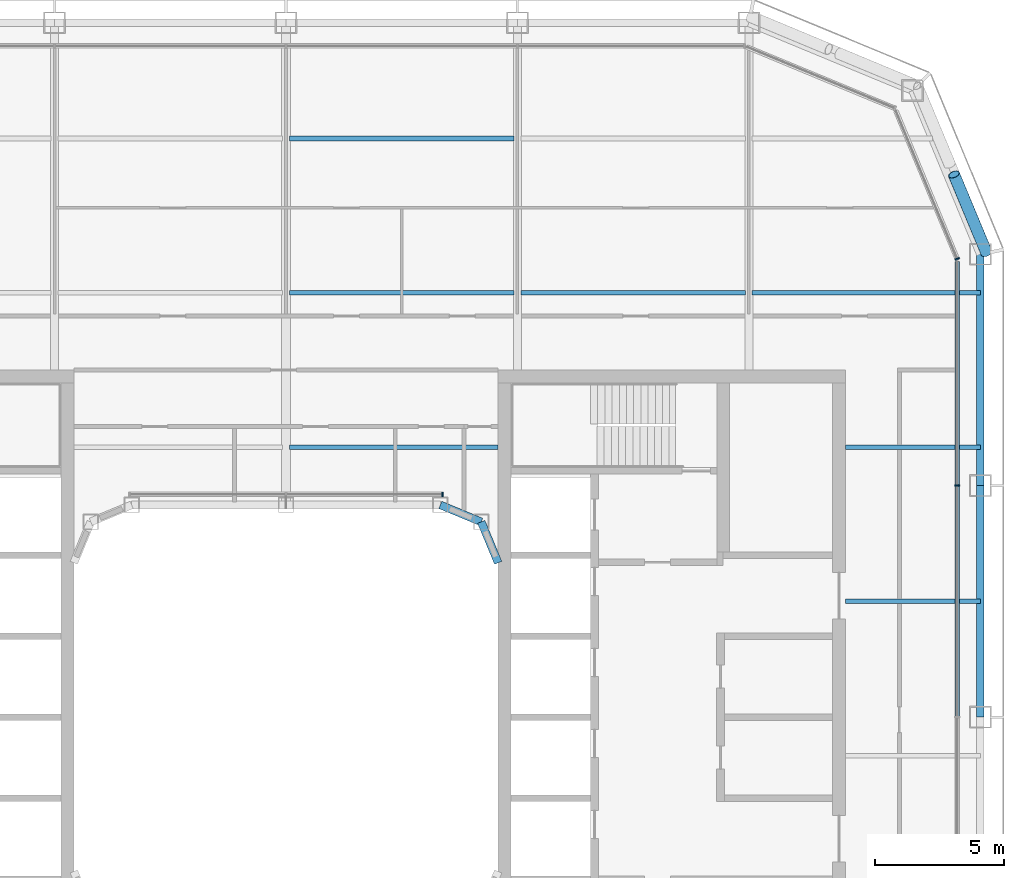
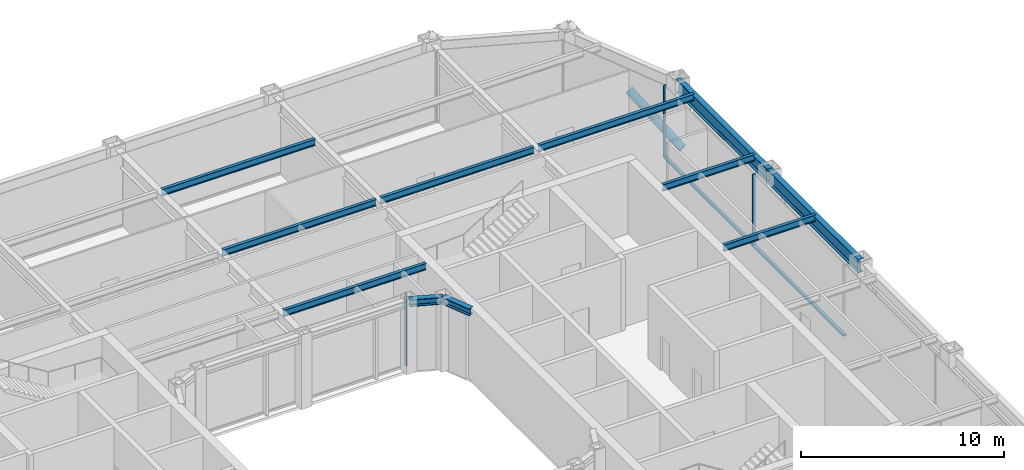
# One storey, part 9 of 19: 11 beams, 6 members, 3 elements without a shape of their own.
"""IFC4 building model written with IfcOpenShell, lengths in metres."""

from ifc_helpers import new_model, si_unit, direction, frame, origin, origin_2d, place, context, subcontext, project, spatial, rectangle, hollow_circle, i_section, extrude, material, layer, layer_set, material_profile, profile_set, type_object, element, aggregate, save


model = new_model("IFC4")

# Units and contexts
model_context = context("Model", 3, precision=1e-05, world=origin(), true_north=direction((0.0, 1.0)))
body_context = subcontext(model_context, "Body", "Model", "MODEL_VIEW")
ifc_project = project(units=[si_unit("LENGTHUNIT", "METRE"), si_unit("AREAUNIT", "SQUARE_METRE"), si_unit("VOLUMEUNIT", "CUBIC_METRE"), si_unit("PLANEANGLEUNIT", "RADIAN"), si_unit("MASSUNIT", "GRAM", prefix="KILO")], contexts=[model_context])

# Site, building, storey
site_placement = place(None, origin())
site = spatial("IfcSite", under=ifc_project, at=site_placement, CompositionType="ELEMENT")
building_placement = place(site_placement, origin())
building = spatial("IfcBuilding", under=site, at=building_placement, Name="Siwar Civic Tower", CompositionType="ELEMENT")
storey_placement = place(building_placement, frame((0.0, 0.0, 192.699951171875)))
storey = spatial("IfcBuildingStorey", under=building, at=storey_placement, Name="L41", CompositionType="ELEMENT", Elevation=192.699951171875)

# Curtain wall, member
ifc_material_1 = material(Name="Aluminium and glass", Category="aluminium")
ifc_layer_1 = layer(ifc_material_1, 0.179931640625)
ifc_layer_set_1 = layer_set([ifc_layer_1], Name="Aluminium and glass")
curtain_wall_type_1 = type_object("IfcCurtainWallType", Name="ENV-CW-C", PredefinedType="NOTDEFINED", material=ifc_layer_set_1)
curtain_wall_1_placement = place(storey_placement, origin())
curtain_wall_1 = element("IfcCurtainWall", 1, at=curtain_wall_1_placement, inside=storey, type_object=curtain_wall_type_1, Name="Curtain wall C E", PredefinedType="NOTDEFINED")
ifc_material_2 = material(Name="Aluminium 6063-T6", Category="aluminium")
ifc_material_profile_1 = material_profile(ifc_material_2, rectangle(XDim=0.179931640625, YDim=0.06005859375, at=origin_2d()), Name="AL 180x60")
ifc_profile_set_1 = profile_set([ifc_material_profile_1], Name="Aluminium 6063-T6")
member_type_1 = type_object("IfcMemberType", Name="ENV-MULLION-C", PredefinedType="MULLION", material=ifc_profile_set_1)
member_1_placement = place(storey_placement, frame((26.10009765625, 9.0, 0.0), z_axis=(0.0, 0.0, 1.0), x_axis=(-1.0, 0.0, 0.0)))
member_1 = element("IfcMember", 2, at=member_1_placement, type_object=member_type_1, Name="Mullion C E 4", PredefinedType="MULLION", context=body_context, shape_type="SweptSolid", body=[
    extrude(rectangle(XDim=0.179931640625, YDim=0.06005859375, at=origin_2d()), origin(), (0.0, 0.0, 1.0), 4.35009765625),
])

ifc_material_3 = material(Name="Aluminium clad insulated panel", Category="aluminium")
ifc_layer_2 = layer(ifc_material_3, 0.179931640625)
ifc_layer_set_2 = layer_set([ifc_layer_2], Name="Aluminium clad insulated panel")
curtain_wall_type_2 = type_object("IfcCurtainWallType", Name="ENV-CW-CX", PredefinedType="NOTDEFINED", material=ifc_layer_set_2)
curtain_wall_2_placement = place(storey_placement, origin())
curtain_wall_2 = element("IfcCurtainWall", 3, at=curtain_wall_2_placement, inside=storey, type_object=curtain_wall_type_2, Name="Curtain wall C NE1", PredefinedType="NOTDEFINED")
member_2_placement = place(storey_placement, frame((26.10009765625, 17.821044921875, 0.0), z_axis=(0.0, 0.0, 1.0), x_axis=(-0.923879532511, -0.382683432365, 0.0)))
member_2 = element("IfcMember", 4, at=member_2_placement, type_object=member_type_1, Name="Mullion C NE1 1", PredefinedType="MULLION", context=body_context, shape_type="SweptSolid", body=[
    extrude(rectangle(XDim=0.179931640625, YDim=0.06005859375, at=origin_2d()), origin(), (0.0, 0.0, 1.0), 4.35009765625),
])
aggregate(curtain_wall_2, [member_2])

ifc_material_4 = material(Name="Aluminium and glass", Category="aluminium")
ifc_layer_3 = layer(ifc_material_4, 0.179931640625)
ifc_layer_set_3 = layer_set([ifc_layer_3], Name="Aluminium and glass")
curtain_wall_type_3 = type_object("IfcCurtainWallType", Name="ENV-CW-W", PredefinedType="NOTDEFINED", material=ifc_layer_set_3)
curtain_wall_3_placement = place(storey_placement, origin())
curtain_wall_3 = element("IfcCurtainWall", 5, at=curtain_wall_3_placement, inside=storey, type_object=curtain_wall_type_3, Name="Curtain wall W WN", PredefinedType="NOTDEFINED")
ifc_material_5 = material(Name="Aluminium 6063-T6", Category="aluminium")
ifc_material_profile_2 = material_profile(ifc_material_5, rectangle(XDim=0.179931640625, YDim=0.06005859375, at=origin_2d()), Name="AL 180x60")
ifc_profile_set_2 = profile_set([ifc_material_profile_2], Name="Aluminium 6063-T6")
member_type_2 = type_object("IfcMemberType", Name="ENV-MULLION-W", PredefinedType="MULLION", material=ifc_profile_set_2)
member_3_placement = place(storey_placement, frame((6.08154296875, 8.659912109375, 0.0), z_axis=(0.0, 0.0, 1.0), x_axis=(0.0, -1.0, 0.0)))
member_3 = element("IfcMember", 6, at=member_3_placement, type_object=member_type_2, Name="Mullion W WN 1", PredefinedType="MULLION", context=body_context, shape_type="SweptSolid", body=[
    extrude(rectangle(XDim=0.179931640625, YDim=0.06005859375, at=origin_2d()), origin(), (0.0, 0.0, 1.0), 4.35009765625),
])
aggregate(curtain_wall_3, [member_3])

# Member
ifc_material_6 = material(Name="Aluminium 6063-T6", Category="aluminium")
ifc_material_profile_3 = material_profile(ifc_material_6, rectangle(XDim=0.179931640625, YDim=0.10009765625, at=origin_2d()), Name="AL 180x100")
ifc_profile_set_3 = profile_set([ifc_material_profile_3], Name="Aluminium 6063-T6")
member_type_3 = type_object("IfcMemberType", Name="ENV-TRANSOM-C", PredefinedType="USERDEFINED", material=ifc_profile_set_3)
member_4_placement = place(storey_placement, frame((26.10009765625, 0.030029296875, 0.050048828125), z_axis=(0.0, 1.0, 0.0), x_axis=(-1.0, 0.0, 0.0)))
member_4 = element("IfcMember", 7, at=member_4_placement, type_object=member_type_3, Name="Transom C E 3", ObjectType="TRANSOM", PredefinedType="USERDEFINED", context=body_context, shape_type="SweptSolid", body=[
    extrude(rectangle(XDim=0.179931640625, YDim=0.10009765625, at=origin_2d()), origin(), (0.0, 0.0, 1.0), 8.93994140625),
])

member_5_placement = place(storey_placement, frame((26.10009765625, 9.030029296875, 0.050048828125), z_axis=(0.0, 1.0, 0.0), x_axis=(-1.0, 0.0, 0.0)))
member_5 = element("IfcMember", 8, at=member_5_placement, type_object=member_type_3, Name="Transom C E 4", ObjectType="TRANSOM", PredefinedType="USERDEFINED", context=body_context, shape_type="SweptSolid", body=[
    extrude(rectangle(XDim=0.179931640625, YDim=0.10009765625, at=origin_2d()), origin(), (0.0, 0.0, 1.0), 8.68603515625),
])

aggregate(curtain_wall_1, [member_1, member_4, member_5])

ifc_material_7 = material(Name="Steel S355", Category="steel")
ifc_material_profile_4 = material_profile(ifc_material_7, hollow_circle(Radius=0.228515625, WallThickness=0.02001953125, at=origin_2d()), Name="CHS457x20")
ifc_profile_set_4 = profile_set([ifc_material_profile_4], Name="Steel S355")
member_type_4 = type_object("IfcMemberType", Name="STR-BR-CHS457x20", PredefinedType="BRACE", material=ifc_profile_set_4)
member_6_placement = place(storey_placement, frame((27.2451171875, 18.048828125, 0.0), z_axis=(-0.323884455881, 0.777546448489, 0.538999424564), x_axis=(-0.92311621485, -0.38452107079, 0.0)))
element("IfcMember", 9, at=member_6_placement, inside=storey, type_object=member_type_4, Name="L41/brc/CNE1-1-0-4", PredefinedType="BRACE", context=body_context, shape_type="SweptSolid", body=[
    extrude(hollow_circle(Radius=0.228515625, WallThickness=0.02001953125, at=origin_2d()), origin(), (0.0, 0.0, 1.0), 3.927978515625),
])

# Beams
ifc_material_8 = material(Name="Steel S355", Category="steel")
ifc_material_profile_5 = material_profile(ifc_material_8, i_section(OverallWidth=0.179931640625, OverallDepth=0.39990234375, WebThickness=0.008544921875, FlangeThickness=0.013427734375, FilletRadius=0.02099609375, at=origin_2d()), Name="IPE400")
ifc_profile_set_5 = profile_set([ifc_material_profile_5], Name="Steel S355")
beam_type_1 = type_object("IfcBeamType", Name="STR-FB-IPE400", PredefinedType="JOIST", material=ifc_profile_set_5)
beam_1_placement = place(storey_placement, frame((21.75, 4.5, 4.150146484375), z_axis=(1.0, 0.0, 0.0), x_axis=(0.0, 1.0, 0.0)))
element("IfcBeam", 10, at=beam_1_placement, inside=storey, type_object=beam_type_1, Name="L41/bm/F026", PredefinedType="JOIST", context=body_context, shape_type="SweptSolid", body=[
    extrude(i_section(OverallWidth=0.179931640625, OverallDepth=0.39990234375, WebThickness=0.008544921875, FlangeThickness=0.013427734375, FilletRadius=0.02099609375, at=origin_2d()), origin(), (0.0, 0.0, 1.0), 5.25),
])
beam_2_placement = place(storey_placement, frame((0.1298828125, 10.5, 4.150146484375), z_axis=(1.0, 0.0, 0.0), x_axis=(0.0, 1.0, 0.0)))
element("IfcBeam", 11, at=beam_2_placement, inside=storey, type_object=beam_type_1, Name="L41/bm/F029", PredefinedType="JOIST", context=body_context, shape_type="SweptSolid", body=[
    extrude(i_section(OverallWidth=0.179931640625, OverallDepth=0.39990234375, WebThickness=0.008544921875, FlangeThickness=0.013427734375, FilletRadius=0.02099609375, at=origin_2d()), origin(), (0.0, 0.0, 1.0), 8.1201171875),
])
beam_3_placement = place(storey_placement, frame((21.75, 10.5, 4.150146484375), z_axis=(1.0, 0.0, 0.0), x_axis=(0.0, 1.0, 0.0)))
element("IfcBeam", 12, at=beam_3_placement, inside=storey, type_object=beam_type_1, Name="L41/bm/F030", PredefinedType="JOIST", context=body_context, shape_type="SweptSolid", body=[
    extrude(i_section(OverallWidth=0.179931640625, OverallDepth=0.39990234375, WebThickness=0.008544921875, FlangeThickness=0.013427734375, FilletRadius=0.02099609375, at=origin_2d()), origin(), (0.0, 0.0, 1.0), 5.25),
])
for number, where, z_axis, x_axis, name in (
    (13, (0.1298828125, 16.5, 4.150146484375), (1.0, 0.0, 0.0), (0.0, 1.0, 0.0), "L41/bm/F034"),
    (14, (9.1298828125, 16.5, 4.150146484375), (1.0, 0.0, 0.0), (0.0, 1.0, 0.0), "L41/bm/F035"),
):
    element("IfcBeam", number, at=place(storey_placement, frame(where, z_axis=z_axis, x_axis=x_axis)), inside=storey, type_object=beam_type_1, Name=name, PredefinedType="JOIST", context=body_context, shape_type="SweptSolid", body=[
        extrude(i_section(OverallWidth=0.179931640625, OverallDepth=0.39990234375, WebThickness=0.008544921875, FlangeThickness=0.013427734375, FilletRadius=0.02099609375, at=origin_2d()), origin(), (0.0, 0.0, 1.0), 8.740234375),
    ])
beam_4_placement = place(storey_placement, frame((18.1298828125, 16.5, 4.150146484375), z_axis=(1.0, 0.0, 0.0), x_axis=(0.0, 1.0, 0.0)))
element("IfcBeam", 15, at=beam_4_placement, inside=storey, type_object=beam_type_1, Name="L41/bm/F036", PredefinedType="JOIST", context=body_context, shape_type="SweptSolid", body=[
    extrude(i_section(OverallWidth=0.179931640625, OverallDepth=0.39990234375, WebThickness=0.008544921875, FlangeThickness=0.013427734375, FilletRadius=0.02099609375, at=origin_2d()), origin(), (0.0, 0.0, 1.0), 8.8701171875),
])
beam_5_placement = place(storey_placement, frame((0.1298828125, 22.5, 4.150146484375), z_axis=(1.0, 0.0, 0.0), x_axis=(0.0, 1.0, 0.0)))
element("IfcBeam", 16, at=beam_5_placement, inside=storey, type_object=beam_type_1, Name="L41/bm/F040", PredefinedType="JOIST", context=body_context, shape_type="SweptSolid", body=[
    extrude(i_section(OverallWidth=0.179931640625, OverallDepth=0.39990234375, WebThickness=0.008544921875, FlangeThickness=0.013427734375, FilletRadius=0.02099609375, at=origin_2d()), origin(), (0.0, 0.0, 1.0), 8.740234375),
])
ifc_material_9 = material(Name="Steel S355", Category="steel")
ifc_material_profile_6 = material_profile(ifc_material_9, i_section(OverallWidth=0.306884765625, OverallDepth=0.431884765625, WebThickness=0.02099609375, FlangeThickness=0.0400390625, FilletRadius=0.027099609375, at=origin_2d()), Name="HEM400")
ifc_profile_set_6 = profile_set([ifc_material_profile_6], Name="Steel S355")
beam_type_2 = type_object("IfcBeamType", Name="STR-RB-HEM400", PredefinedType="BEAM", material=ifc_profile_set_6)
for number, where, z_axis, x_axis, name in (
    (17, (6.0, 8.25, 4.134033203125), (0.923901072997, -0.382631424892, 0.0), (0.382631424892, 0.923901072997, 0.0), "L41/bm/RN3"),
    (18, (7.591064453125, 7.591064453125, 4.134033203125), (0.382631424892, -0.923901072997, 0.0), (0.923901072997, 0.382631424892, 0.0), "L41/bm/RNEE"),
):
    element("IfcBeam", number, at=place(storey_placement, frame(where, z_axis=z_axis, x_axis=x_axis)), inside=storey, type_object=beam_type_2, Name=name, PredefinedType="BEAM", context=body_context, shape_type="SweptSolid", body=[
        extrude(i_section(OverallWidth=0.306884765625, OverallDepth=0.431884765625, WebThickness=0.02099609375, FlangeThickness=0.0400390625, FilletRadius=0.027099609375, at=origin_2d()), origin(), (0.0, 0.0, 1.0), 1.72216796875),
    ])
ifc_material_10 = material(Name="Steel S355", Category="steel")
ifc_material_profile_7 = material_profile(ifc_material_10, i_section(OverallWidth=0.300048828125, OverallDepth=0.800048828125, WebThickness=0.017578125, FlangeThickness=0.032958984375, FilletRadius=0.030029296875, at=origin_2d()), Name="HEB800")
ifc_profile_set_7 = profile_set([ifc_material_profile_7], Name="Steel S355")
beam_type_3 = type_object("IfcBeamType", Name="STR-SB-HEB800", PredefinedType="BEAM", material=ifc_profile_set_7)
for number, where, z_axis, x_axis, name in (
    (19, (27.0, 0.0, 3.949951171875), (0.0, 1.0, 0.0), (-1.0, 0.0, 0.0), "L41/bm/SE-2"),
    (20, (27.0, 9.0, 3.949951171875), (0.0, 1.0, 0.0), (-1.0, 0.0, 0.0), "L41/bm/SE-3"),
):
    element("IfcBeam", number, at=place(storey_placement, frame(where, z_axis=z_axis, x_axis=x_axis)), inside=storey, type_object=beam_type_3, Name=name, PredefinedType="BEAM", context=body_context, shape_type="SweptSolid", body=[
        extrude(i_section(OverallWidth=0.300048828125, OverallDepth=0.800048828125, WebThickness=0.017578125, FlangeThickness=0.032958984375, FilletRadius=0.030029296875, at=origin_2d()), origin(), (0.0, 0.0, 1.0), 9.0),
    ])

save(model, "model.ifc")
